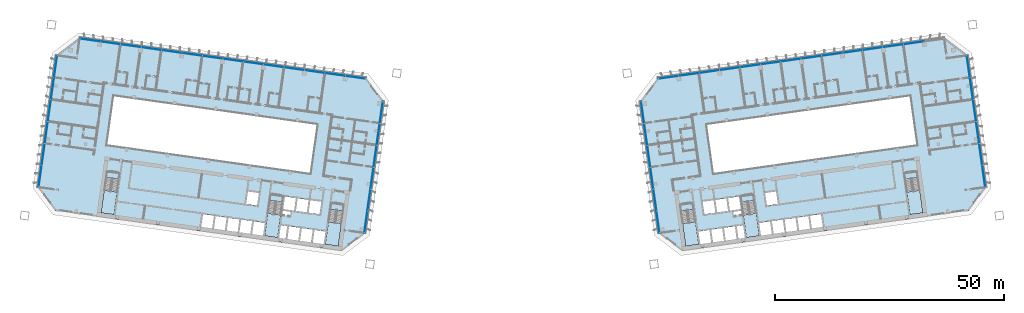
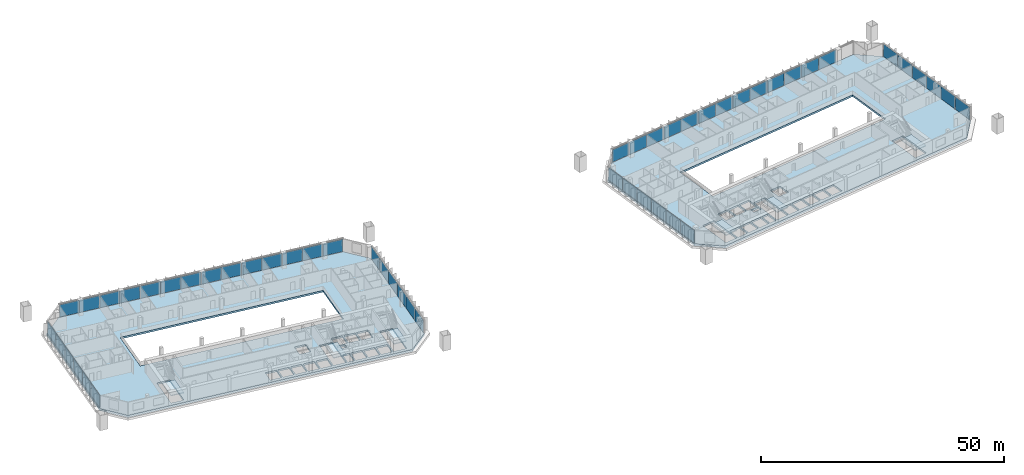
# One storey, part 12 of 24: 51 plates, 8 slabs, 12 elements without a shape of their own.
"""IFC4 building model written with IfcOpenShell, lengths in metres."""

import ifcopenshell
import ifcopenshell.guid

model = None  # the IFC model being written
_history = None  # IfcOwnerHistory: only IFC2X3 demands one
_inside = {}  # id of a spatial element -> (the spatial element, [elements in it])
_under = {}  # id of a project, library or spatial element -> (it, [spatial elements below it])
_declared = {}  # id of a project -> (the project, [libraries it declares])
_typed = {}  # id of a type object -> (the type object, [elements of that type])
_made_of = {}  # id of a material, layer set ... -> (it, [elements and type objects made of it])


def new_model(schema):
    """Start an empty IFC model of exactly this schema.

    Asked for "IFC4X3", IfcOpenShell would pick the latest addendum, in which some entities
    have other attributes; the version numbers below select the first issue.
    IFC2X3 requires an IfcOwnerHistory on every rooted entity: one is made here for all.
    """
    global model, _history
    if schema == "IFC4X3":
        model = ifcopenshell.file(schema_version=(4, 3, 0, 0))
    else:
        model = ifcopenshell.file(schema=schema)
    _inside.clear()
    _under.clear()
    _declared.clear()
    _typed.clear()
    _made_of.clear()
    _history = None
    if model.schema == "IFC2X3":
        org = make("IfcOrganization", Name="unknown")
        user = make(
            "IfcPersonAndOrganization",
            ThePerson=make("IfcPerson", FamilyName="unknown"),
            TheOrganization=org,
        )
        app = make(
            "IfcApplication",
            ApplicationDeveloper=org,
            Version="unknown",
            ApplicationFullName="unknown",
            ApplicationIdentifier="unknown",
        )
        _history = make(
            "IfcOwnerHistory",
            OwningUser=user,
            OwningApplication=app,
            ChangeAction="ADDED",
            CreationDate=0,
        )
    return model


def make(cls, **values):
    """One entity of the class cls with the attributes given. An attribute that is None is left unset."""
    return model.create_entity(
        cls, **{name: value for name, value in values.items() if value is not None}
    )


def rooted(cls, **values):
    """An entity with a GlobalId (a new one), such as an element, a storey or a relation."""
    return make(cls, GlobalId=ifcopenshell.guid.new(), OwnerHistory=_history, **values)


def si_unit(unit_type, name, prefix=None):
    """IfcSIUnit, for example si_unit("LENGTHUNIT", "METRE", prefix="MILLI")."""
    return make("IfcSIUnit", UnitType=unit_type, Prefix=prefix, Name=name)


def assignment(units):
    """IfcUnitAssignment: the units of a project."""
    return None if units is None else make("IfcUnitAssignment", Units=units)


def point(xyz):
    """IfcCartesianPoint."""
    return None if xyz is None else make("IfcCartesianPoint", Coordinates=xyz)


def direction(xyz):
    """IfcDirection."""
    return None if xyz is None else make("IfcDirection", DirectionRatios=xyz)


def frame(location, z_axis=None, x_axis=None):
    """IfcAxis2Placement3D, a coordinate frame: its origin and axes. An axis left out is left unset."""
    return make(
        "IfcAxis2Placement3D",
        Location=point(location),
        Axis=direction(z_axis),
        RefDirection=direction(x_axis),
    )


def frame_2d(location, x_axis=None):
    """IfcAxis2Placement2D, a coordinate frame in the plane: its origin and x axis."""
    return make(
        "IfcAxis2Placement2D", Location=point(location), RefDirection=direction(x_axis)
    )


def origin():
    """The frame at (0, 0, 0) with its axes left unset."""
    return frame((0.0, 0.0, 0.0))


def origin_2d():
    """The frame at (0, 0) in the plane with its x axis left unset."""
    return frame_2d((0.0, 0.0))


def place(relative_to, where):
    """IfcLocalPlacement: puts the frame where relative to a parent placement (None: the world)."""
    return make(
        "IfcLocalPlacement", PlacementRelTo=relative_to, RelativePlacement=where
    )


def context(
    kind, dimensions, precision=None, world=None, true_north=None, identifier=None
):
    """IfcGeometricRepresentationContext, for example the 3D "Model" context."""
    return make(
        "IfcGeometricRepresentationContext",
        ContextIdentifier=identifier,
        ContextType=kind,
        CoordinateSpaceDimension=dimensions,
        Precision=precision,
        WorldCoordinateSystem=world,
        TrueNorth=true_north,
    )


def subcontext(parent, identifier, kind, view, scale=None):
    """IfcGeometricRepresentationSubContext, for example "Body" below "Model"."""
    return make(
        "IfcGeometricRepresentationSubContext",
        ContextIdentifier=identifier,
        ContextType=kind,
        ParentContext=parent,
        TargetScale=scale,
        TargetView=view,
    )


def project(units=None, contexts=None):
    """IfcProject with its units and contexts."""
    return rooted(
        "IfcProject",
        Name="project",
        RepresentationContexts=contexts,
        UnitsInContext=assignment(units),
    )


def spatial(cls, under=None, at=None, **own):
    """A site, building, storey or space (cls), placed at a placement, below another one or the project."""
    s = rooted(cls, ObjectPlacement=at, **own)
    if under is not None:
        _under.setdefault(under.id(), (under, []))[1].append(s)
    return s


def polyline(points):
    """IfcPolyline through the points."""
    return make("IfcPolyline", Points=[point(p) for p in points])


def profile(cls, at=None, kind="AREA", **sizes):
    """A parametric profile (cls). Its sizes go by their IFC names, for example OverallWidth=200.0."""
    return make(cls, ProfileType=kind, Position=at, **sizes)


def rectangle(**sizes):
    """IfcRectangleProfileDef."""
    return profile("IfcRectangleProfileDef", **sizes)


def outline(outer, holes=None, kind="AREA"):
    """IfcArbitraryClosedProfileDef: a profile drawn as a closed curve; with holes, ...WithVoids."""
    if holes is None:
        return make("IfcArbitraryClosedProfileDef", ProfileType=kind, OuterCurve=outer)
    return make(
        "IfcArbitraryProfileDefWithVoids",
        ProfileType=kind,
        OuterCurve=outer,
        InnerCurves=holes,
    )


def extrude(swept, where, along, depth):
    """IfcExtrudedAreaSolid: the profile swept, set in the frame where, extruded along a direction by depth."""
    return make(
        "IfcExtrudedAreaSolid",
        SweptArea=swept,
        Position=where,
        ExtrudedDirection=direction(along),
        Depth=depth,
    )


def shape(context_of_items, identifier, shape_type, items):
    """IfcShapeRepresentation: the items that make up one representation, for example the "Body"."""
    return make(
        "IfcShapeRepresentation",
        ContextOfItems=context_of_items,
        RepresentationIdentifier=identifier,
        RepresentationType=shape_type,
        Items=items,
    )


def material(Name=None, Category=None):
    """IfcMaterial."""
    return make("IfcMaterial", Name=Name, Category=Category)


def layer(
    of_material, thickness, ventilated=None, Name=None, Category=None, Priority=None
):
    """IfcMaterialLayer: one layer of a wall or slab, of a material (None: an air gap)."""
    return make(
        "IfcMaterialLayer",
        Material=of_material,
        LayerThickness=thickness,
        IsVentilated=ventilated,
        Name=Name,
        Category=Category,
        Priority=Priority,
    )


def layer_set(layers, Name=None):
    """IfcMaterialLayerSet."""
    return make("IfcMaterialLayerSet", MaterialLayers=layers, LayerSetName=Name)


def made_of(thing, what):
    """Note that an element or type object is made of a material, layer set ...; save() writes the relation."""
    if what is not None:
        _made_of.setdefault(what.id(), (what, []))[1].append(thing)
    return thing


def type_object(cls, material=None, **own):
    """A type object (cls), such as IfcWallType, which elements share."""
    return made_of(rooted(cls, **own), material)


def element(
    cls,
    number,
    at=None,
    inside=None,
    cuts=None,
    type_object=None,
    material=None,
    context=None,
    identifier="Body",
    shape_type=None,
    held_by="IfcProductDefinitionShape",
    body=None,
    shapes=None,
    **own,
):
    """One element of the class cls, such as IfcWall. Its Tag is "e" and its number.

    at: its placement. inside: the storey or other place that contains it. cuts: it is an
    opening in that element (IfcRelVoidsElement). A single representation is given by context,
    identifier, shape_type and body (its items); several are given by shapes. held_by: the class
    of the entity that holds the representations. save() writes the other relations.
    """
    e = rooted(cls, Tag="e%d" % number, ObjectPlacement=at, **own)
    if body is not None:
        shapes = [shape(context, identifier, shape_type, body)]
    if shapes is not None:
        e.Representation = make(held_by, Representations=shapes)
    if inside is not None:
        _inside.setdefault(inside.id(), (inside, []))[1].append(e)
    if cuts is not None:
        rooted(
            "IfcRelVoidsElement", RelatingBuildingElement=cuts, RelatedOpeningElement=e
        )
    if type_object is not None:
        _typed.setdefault(type_object.id(), (type_object, []))[1].append(e)
    return made_of(e, material)


def aggregate(whole, parts):
    """IfcRelAggregates: a whole, such as a stair, and the parts it consists of."""
    return rooted("IfcRelAggregates", RelatingObject=whole, RelatedObjects=parts)


def save(model, path):
    """Write the relations noted so far, then the file.

    IfcRelAggregates (storeys below a building ...), IfcRelContainedInSpatialStructure (elements
    in a storey), IfcRelDefinesByType, IfcRelAssociatesMaterial and IfcRelDeclares: one each for
    every whole, place, type object, material and project.
    """
    for whole, parts in _under.values():
        aggregate(whole, parts)
    for where, things in _inside.values():
        rooted(
            "IfcRelContainedInSpatialStructure",
            RelatedElements=things,
            RelatingStructure=where,
        )
    for kind, things in _typed.values():
        rooted("IfcRelDefinesByType", RelatedObjects=things, RelatingType=kind)
    for what, things in _made_of.values():
        rooted("IfcRelAssociatesMaterial", RelatedObjects=things, RelatingMaterial=what)
    for by, libraries in _declared.values():
        rooted("IfcRelDeclares", RelatingContext=by, RelatedDefinitions=libraries)
    model.write(path)


model = new_model("IFC4")

# Units and contexts
model_context = context("Model", 3, precision=1e-05, world=origin(), true_north=direction((0.0, 1.0)))
body_context = subcontext(model_context, "Body", "Model", "MODEL_VIEW")
ifc_project = project(units=[si_unit("LENGTHUNIT", "METRE"), si_unit("AREAUNIT", "SQUARE_METRE"), si_unit("VOLUMEUNIT", "CUBIC_METRE"), si_unit("PLANEANGLEUNIT", "RADIAN"), si_unit("MASSUNIT", "GRAM", prefix="KILO")], contexts=[model_context])

# Site, building, storey
site_placement = place(None, origin())
site = spatial("IfcSite", under=ifc_project, at=site_placement, CompositionType="ELEMENT")
building_placement = place(site_placement, origin())
building = spatial("IfcBuilding", under=site, at=building_placement, Name="Mirante Cascada Hotel Towers", CompositionType="ELEMENT")
storey_placement = place(building_placement, frame((0.0, 0.0, 50.9)))
storey = spatial("IfcBuildingStorey", under=building, at=storey_placement, Name="L09", CompositionType="ELEMENT", Elevation=50.9)

# Curtain wall, plates
ifc_material_1 = material(Name="Aluminium mullion and transom frame with clear laminated glass", Category="aluminium")
curtain_wall_type_1 = type_object("IfcCurtainWallType", Name="Ribbon curtain wall ECW1", PredefinedType="NOTDEFINED", material=ifc_material_1)
curtain_wall_1_placement = place(storey_placement, origin())
curtain_wall_1 = element("IfcCurtainWall", 1, at=curtain_wall_1_placement, inside=storey, type_object=curtain_wall_type_1, Name="Front ribbon wall T1 L09", PredefinedType="NOTDEFINED")
ifc_material_2 = material(Name="Clear laminated glass", Category="glass")
ifc_layer_1 = layer(ifc_material_2, 0.036)
ifc_layer_set_1 = layer_set([ifc_layer_1], Name="ECW1 glass panel 36")
plate_type_1 = type_object("IfcPlateType", Name="ECW1 glass panel 36", PredefinedType="CURTAIN_PANEL", material=ifc_layer_set_1)
plate_1_placement = place(storey_placement, frame((-91.9184, 25.7373, 0.1), z_axis=(0.0, 0.0, 1.0), x_axis=(0.9902681, -0.1391731, 0.0)))
plate_1 = element("IfcPlate", 2, at=plate_1_placement, type_object=plate_type_1, Name="ECW1 panel 1", PredefinedType="CURTAIN_PANEL", context=body_context, shape_type="SweptSolid", body=[
    extrude(rectangle(XDim=4.3936, YDim=0.036, at=origin_2d()), origin(), (0.0, 0.0, 1.0), 3.15),
])
plate_2_placement = place(storey_placement, frame((-87.487, 25.1145, 0.1), z_axis=(0.0, 0.0, 1.0), x_axis=(0.9902681, -0.1391731, 0.0)))
plate_2 = element("IfcPlate", 3, at=plate_2_placement, type_object=plate_type_1, Name="ECW1 panel 2", PredefinedType="CURTAIN_PANEL", context=body_context, shape_type="SweptSolid", body=[
    extrude(rectangle(XDim=4.4261, YDim=0.036, at=origin_2d()), origin(), (0.0, 0.0, 1.0), 3.15),
])
plate_3_placement = place(storey_placement, frame((-83.0396, 24.4895, 0.1), z_axis=(0.0, 0.0, 1.0), x_axis=(0.9902681, -0.1391731, 0.0)))
plate_3 = element("IfcPlate", 4, at=plate_3_placement, type_object=plate_type_1, Name="ECW1 panel 3", PredefinedType="CURTAIN_PANEL", context=body_context, shape_type="SweptSolid", body=[
    extrude(rectangle(XDim=4.4261, YDim=0.036, at=origin_2d()), origin(), (0.0, 0.0, 1.0), 3.15),
])
plate_4_placement = place(storey_placement, frame((-78.5922, 23.8644, 0.1), z_axis=(0.0, 0.0, 1.0), x_axis=(0.9902681, -0.1391731, 0.0)))
plate_4 = element("IfcPlate", 5, at=plate_4_placement, type_object=plate_type_1, Name="ECW1 panel 4", PredefinedType="CURTAIN_PANEL", context=body_context, shape_type="SweptSolid", body=[
    extrude(rectangle(XDim=4.4261, YDim=0.036, at=origin_2d()), origin(), (0.0, 0.0, 1.0), 3.15),
])
plate_5_placement = place(storey_placement, frame((-74.1448, 23.2394, 0.1), z_axis=(0.0, 0.0, 1.0), x_axis=(0.9902681, -0.1391731, 0.0)))
plate_5 = element("IfcPlate", 6, at=plate_5_placement, type_object=plate_type_1, Name="ECW1 panel 5", PredefinedType="CURTAIN_PANEL", context=body_context, shape_type="SweptSolid", body=[
    extrude(rectangle(XDim=4.4261, YDim=0.036, at=origin_2d()), origin(), (0.0, 0.0, 1.0), 3.15),
])
plate_6_placement = place(storey_placement, frame((-69.6974, 22.6144, 0.1), z_axis=(0.0, 0.0, 1.0), x_axis=(0.9902681, -0.1391731, 0.0)))
plate_6 = element("IfcPlate", 7, at=plate_6_placement, type_object=plate_type_1, Name="ECW1 panel 6", PredefinedType="CURTAIN_PANEL", context=body_context, shape_type="SweptSolid", body=[
    extrude(rectangle(XDim=4.4261, YDim=0.036, at=origin_2d()), origin(), (0.0, 0.0, 1.0), 3.15),
])
plate_7_placement = place(storey_placement, frame((-65.2499, 21.9893, 0.1), z_axis=(0.0, 0.0, 1.0), x_axis=(0.9902681, -0.1391731, 0.0)))
plate_7 = element("IfcPlate", 8, at=plate_7_placement, type_object=plate_type_1, Name="ECW1 panel 7", PredefinedType="CURTAIN_PANEL", context=body_context, shape_type="SweptSolid", body=[
    extrude(rectangle(XDim=4.4261, YDim=0.036, at=origin_2d()), origin(), (0.0, 0.0, 1.0), 3.15),
])
plate_8_placement = place(storey_placement, frame((-60.8025, 21.3643, 0.1), z_axis=(0.0, 0.0, 1.0), x_axis=(0.9902681, -0.1391731, 0.0)))
plate_8 = element("IfcPlate", 9, at=plate_8_placement, type_object=plate_type_1, Name="ECW1 panel 8", PredefinedType="CURTAIN_PANEL", context=body_context, shape_type="SweptSolid", body=[
    extrude(rectangle(XDim=4.4261, YDim=0.036, at=origin_2d()), origin(), (0.0, 0.0, 1.0), 3.15),
])
plate_9_placement = place(storey_placement, frame((-56.3551, 20.7392, 0.1), z_axis=(0.0, 0.0, 1.0), x_axis=(0.9902681, -0.1391731, 0.0)))
plate_9 = element("IfcPlate", 10, at=plate_9_placement, type_object=plate_type_1, Name="ECW1 panel 9", PredefinedType="CURTAIN_PANEL", context=body_context, shape_type="SweptSolid", body=[
    extrude(rectangle(XDim=4.4261, YDim=0.036, at=origin_2d()), origin(), (0.0, 0.0, 1.0), 3.15),
])
plate_10_placement = place(storey_placement, frame((-51.9077, 20.1142, 0.1), z_axis=(0.0, 0.0, 1.0), x_axis=(0.9902681, -0.1391731, 0.0)))
plate_10 = element("IfcPlate", 11, at=plate_10_placement, type_object=plate_type_1, Name="ECW1 panel 10", PredefinedType="CURTAIN_PANEL", context=body_context, shape_type="SweptSolid", body=[
    extrude(rectangle(XDim=4.4261, YDim=0.036, at=origin_2d()), origin(), (0.0, 0.0, 1.0), 3.15),
])
plate_11_placement = place(storey_placement, frame((-47.4603, 19.4891, 0.1), z_axis=(0.0, 0.0, 1.0), x_axis=(0.9902681, -0.1391731, 0.0)))
plate_11 = element("IfcPlate", 12, at=plate_11_placement, type_object=plate_type_1, Name="ECW1 panel 11", PredefinedType="CURTAIN_PANEL", context=body_context, shape_type="SweptSolid", body=[
    extrude(rectangle(XDim=4.4261, YDim=0.036, at=origin_2d()), origin(), (0.0, 0.0, 1.0), 3.15),
])
plate_12_placement = place(storey_placement, frame((-43.0129, 18.8641, 0.1), z_axis=(0.0, 0.0, 1.0), x_axis=(0.9902681, -0.1391731, 0.0)))
plate_12 = element("IfcPlate", 13, at=plate_12_placement, type_object=plate_type_1, Name="ECW1 panel 12", PredefinedType="CURTAIN_PANEL", context=body_context, shape_type="SweptSolid", body=[
    extrude(rectangle(XDim=4.4261, YDim=0.036, at=origin_2d()), origin(), (0.0, 0.0, 1.0), 3.15),
])
plate_13_placement = place(storey_placement, frame((-38.5654, 18.239, 0.1), z_axis=(0.0, 0.0, 1.0), x_axis=(0.9902681, -0.1391731, 0.0)))
plate_13 = element("IfcPlate", 14, at=plate_13_placement, type_object=plate_type_1, Name="ECW1 panel 13", PredefinedType="CURTAIN_PANEL", context=body_context, shape_type="SweptSolid", body=[
    extrude(rectangle(XDim=4.4261, YDim=0.036, at=origin_2d()), origin(), (0.0, 0.0, 1.0), 3.15),
])
plate_14_placement = place(storey_placement, frame((-34.1341, 17.6163, 0.1), z_axis=(0.0, 0.0, 1.0), x_axis=(0.9902681, -0.1391731, 0.0)))
plate_14 = element("IfcPlate", 15, at=plate_14_placement, type_object=plate_type_1, Name="ECW1 panel 14", PredefinedType="CURTAIN_PANEL", context=body_context, shape_type="SweptSolid", body=[
    extrude(rectangle(XDim=4.3936, YDim=0.036, at=origin_2d()), origin(), (0.0, 0.0, 1.0), 3.15),
])
aggregate(curtain_wall_1, [plate_1, plate_2, plate_3, plate_4, plate_5, plate_6, plate_7, plate_8, plate_9, plate_10, plate_11, plate_12, plate_13, plate_14])

curtain_wall_2_placement = place(storey_placement, origin())
curtain_wall_2 = element("IfcCurtainWall", 16, at=curtain_wall_2_placement, inside=storey, type_object=curtain_wall_type_1, Name="Front ribbon wall T2 L09", PredefinedType="NOTDEFINED")
plate_15_placement = place(storey_placement, frame((87.487, 25.1145, 0.1), z_axis=(0.0, 0.0, 1.0), x_axis=(-0.9902681, -0.1391731, 0.0)))
plate_15 = element("IfcPlate", 17, at=plate_15_placement, type_object=plate_type_1, Name="ECW1 panel 2", PredefinedType="CURTAIN_PANEL", context=body_context, shape_type="SweptSolid", body=[
    extrude(rectangle(XDim=4.4261, YDim=0.036, at=origin_2d()), origin(), (0.0, 0.0, 1.0), 3.15),
])
plate_16_placement = place(storey_placement, frame((83.0396, 24.4895, 0.1), z_axis=(0.0, 0.0, 1.0), x_axis=(-0.9902681, -0.1391731, 0.0)))
plate_16 = element("IfcPlate", 18, at=plate_16_placement, type_object=plate_type_1, Name="ECW1 panel 3", PredefinedType="CURTAIN_PANEL", context=body_context, shape_type="SweptSolid", body=[
    extrude(rectangle(XDim=4.4261, YDim=0.036, at=origin_2d()), origin(), (0.0, 0.0, 1.0), 3.15),
])
plate_17_placement = place(storey_placement, frame((78.5922, 23.8644, 0.1), z_axis=(0.0, 0.0, 1.0), x_axis=(-0.9902681, -0.1391731, 0.0)))
plate_17 = element("IfcPlate", 19, at=plate_17_placement, type_object=plate_type_1, Name="ECW1 panel 4", PredefinedType="CURTAIN_PANEL", context=body_context, shape_type="SweptSolid", body=[
    extrude(rectangle(XDim=4.4261, YDim=0.036, at=origin_2d()), origin(), (0.0, 0.0, 1.0), 3.15),
])
plate_18_placement = place(storey_placement, frame((74.1448, 23.2394, 0.1), z_axis=(0.0, 0.0, 1.0), x_axis=(-0.9902681, -0.1391731, 0.0)))
plate_18 = element("IfcPlate", 20, at=plate_18_placement, type_object=plate_type_1, Name="ECW1 panel 5", PredefinedType="CURTAIN_PANEL", context=body_context, shape_type="SweptSolid", body=[
    extrude(rectangle(XDim=4.4261, YDim=0.036, at=origin_2d()), origin(), (0.0, 0.0, 1.0), 3.15),
])
plate_19_placement = place(storey_placement, frame((69.6974, 22.6144, 0.1), z_axis=(0.0, 0.0, 1.0), x_axis=(-0.9902681, -0.1391731, 0.0)))
plate_19 = element("IfcPlate", 21, at=plate_19_placement, type_object=plate_type_1, Name="ECW1 panel 6", PredefinedType="CURTAIN_PANEL", context=body_context, shape_type="SweptSolid", body=[
    extrude(rectangle(XDim=4.4261, YDim=0.036, at=origin_2d()), origin(), (0.0, 0.0, 1.0), 3.15),
])
plate_20_placement = place(storey_placement, frame((65.2499, 21.9893, 0.1), z_axis=(0.0, 0.0, 1.0), x_axis=(-0.9902681, -0.1391731, 0.0)))
plate_20 = element("IfcPlate", 22, at=plate_20_placement, type_object=plate_type_1, Name="ECW1 panel 7", PredefinedType="CURTAIN_PANEL", context=body_context, shape_type="SweptSolid", body=[
    extrude(rectangle(XDim=4.4261, YDim=0.036, at=origin_2d()), origin(), (0.0, 0.0, 1.0), 3.15),
])
plate_21_placement = place(storey_placement, frame((60.8025, 21.3643, 0.1), z_axis=(0.0, 0.0, 1.0), x_axis=(-0.9902681, -0.1391731, 0.0)))
plate_21 = element("IfcPlate", 23, at=plate_21_placement, type_object=plate_type_1, Name="ECW1 panel 8", PredefinedType="CURTAIN_PANEL", context=body_context, shape_type="SweptSolid", body=[
    extrude(rectangle(XDim=4.4261, YDim=0.036, at=origin_2d()), origin(), (0.0, 0.0, 1.0), 3.15),
])
plate_22_placement = place(storey_placement, frame((56.3551, 20.7392, 0.1), z_axis=(0.0, 0.0, 1.0), x_axis=(-0.9902681, -0.1391731, 0.0)))
plate_22 = element("IfcPlate", 24, at=plate_22_placement, type_object=plate_type_1, Name="ECW1 panel 9", PredefinedType="CURTAIN_PANEL", context=body_context, shape_type="SweptSolid", body=[
    extrude(rectangle(XDim=4.4261, YDim=0.036, at=origin_2d()), origin(), (0.0, 0.0, 1.0), 3.15),
])
plate_23_placement = place(storey_placement, frame((51.9077, 20.1142, 0.1), z_axis=(0.0, 0.0, 1.0), x_axis=(-0.9902681, -0.1391731, 0.0)))
plate_23 = element("IfcPlate", 25, at=plate_23_placement, type_object=plate_type_1, Name="ECW1 panel 10", PredefinedType="CURTAIN_PANEL", context=body_context, shape_type="SweptSolid", body=[
    extrude(rectangle(XDim=4.4261, YDim=0.036, at=origin_2d()), origin(), (0.0, 0.0, 1.0), 3.15),
])
plate_24_placement = place(storey_placement, frame((47.4603, 19.4891, 0.1), z_axis=(0.0, 0.0, 1.0), x_axis=(-0.9902681, -0.1391731, 0.0)))
plate_24 = element("IfcPlate", 26, at=plate_24_placement, type_object=plate_type_1, Name="ECW1 panel 11", PredefinedType="CURTAIN_PANEL", context=body_context, shape_type="SweptSolid", body=[
    extrude(rectangle(XDim=4.4261, YDim=0.036, at=origin_2d()), origin(), (0.0, 0.0, 1.0), 3.15),
])
plate_25_placement = place(storey_placement, frame((43.0129, 18.8641, 0.1), z_axis=(0.0, 0.0, 1.0), x_axis=(-0.9902681, -0.1391731, 0.0)))
plate_25 = element("IfcPlate", 27, at=plate_25_placement, type_object=plate_type_1, Name="ECW1 panel 12", PredefinedType="CURTAIN_PANEL", context=body_context, shape_type="SweptSolid", body=[
    extrude(rectangle(XDim=4.4261, YDim=0.036, at=origin_2d()), origin(), (0.0, 0.0, 1.0), 3.15),
])
plate_26_placement = place(storey_placement, frame((38.5654, 18.239, 0.1), z_axis=(0.0, 0.0, 1.0), x_axis=(-0.9902681, -0.1391731, 0.0)))
plate_26 = element("IfcPlate", 28, at=plate_26_placement, type_object=plate_type_1, Name="ECW1 panel 13", PredefinedType="CURTAIN_PANEL", context=body_context, shape_type="SweptSolid", body=[
    extrude(rectangle(XDim=4.4261, YDim=0.036, at=origin_2d()), origin(), (0.0, 0.0, 1.0), 3.15),
])
plate_27_placement = place(storey_placement, frame((34.1341, 17.6163, 0.1), z_axis=(0.0, 0.0, 1.0), x_axis=(-0.9902681, -0.1391731, 0.0)))
plate_27 = element("IfcPlate", 29, at=plate_27_placement, type_object=plate_type_1, Name="ECW1 panel 14", PredefinedType="CURTAIN_PANEL", context=body_context, shape_type="SweptSolid", body=[
    extrude(rectangle(XDim=4.3936, YDim=0.036, at=origin_2d()), origin(), (0.0, 0.0, 1.0), 3.15),
])
aggregate(curtain_wall_2, [plate_15, plate_16, plate_17, plate_18, plate_19, plate_20, plate_21, plate_22, plate_23, plate_24, plate_25, plate_26, plate_27])

ifc_material_3 = material(Name="Aluminium mullion and transom frame with clear laminated glass", Category="aluminium")
curtain_wall_type_2 = type_object("IfcCurtainWallType", Name="End ribbon curtain wall ECW2", PredefinedType="NOTDEFINED", material=ifc_material_3)
curtain_wall_3_placement = place(storey_placement, origin())
curtain_wall_3 = element("IfcCurtainWall", 30, at=curtain_wall_3_placement, inside=storey, type_object=curtain_wall_type_2, Name="Inner end wall T1 L09", PredefinedType="NOTDEFINED")
ifc_material_4 = material(Name="Clear laminated glass", Category="glass")
ifc_layer_2 = layer(ifc_material_4, 0.034)
ifc_layer_set_2 = layer_set([ifc_layer_2], Name="ECW2 glass panel 34")
plate_type_2 = type_object("IfcPlateType", Name="ECW2 glass panel 34", PredefinedType="CURTAIN_PANEL", material=ifc_layer_set_2)
plate_28_placement = place(storey_placement, frame((-28.4763, 9.9193, 0.1), z_axis=(0.0, 0.0, 1.0), x_axis=(-0.1391731, -0.9902681, 0.0)))
plate_28 = element("IfcPlate", 31, at=plate_28_placement, type_object=plate_type_2, Name="ECW2 panel 1", PredefinedType="CURTAIN_PANEL", context=body_context, shape_type="SweptSolid", body=[
    extrude(rectangle(XDim=4.7151, YDim=0.034, at=origin_2d()), origin(), (0.0, 0.0, 1.0), 3.15),
])
plate_29_placement = place(storey_placement, frame((-29.1439, 5.1696, 0.1), z_axis=(0.0, 0.0, 1.0), x_axis=(-0.1391731, -0.9902681, 0.0)))
plate_29 = element("IfcPlate", 32, at=plate_29_placement, type_object=plate_type_2, Name="ECW2 panel 2", PredefinedType="CURTAIN_PANEL", context=body_context, shape_type="SweptSolid", body=[
    extrude(rectangle(XDim=4.7476, YDim=0.034, at=origin_2d()), origin(), (0.0, 0.0, 1.0), 3.15),
])
plate_30_placement = place(storey_placement, frame((-29.8136, 0.4038, 0.1), z_axis=(0.0, 0.0, 1.0), x_axis=(-0.1391731, -0.9902681, 0.0)))
plate_30 = element("IfcPlate", 33, at=plate_30_placement, type_object=plate_type_2, Name="ECW2 panel 3", PredefinedType="CURTAIN_PANEL", context=body_context, shape_type="SweptSolid", body=[
    extrude(rectangle(XDim=4.7476, YDim=0.034, at=origin_2d()), origin(), (0.0, 0.0, 1.0), 3.15),
])
plate_31_placement = place(storey_placement, frame((-30.4834, -4.362, 0.1), z_axis=(0.0, 0.0, 1.0), x_axis=(-0.1391731, -0.9902681, 0.0)))
plate_31 = element("IfcPlate", 34, at=plate_31_placement, type_object=plate_type_2, Name="ECW2 panel 4", PredefinedType="CURTAIN_PANEL", context=body_context, shape_type="SweptSolid", body=[
    extrude(rectangle(XDim=4.7476, YDim=0.034, at=origin_2d()), origin(), (0.0, 0.0, 1.0), 3.15),
])
plate_32_placement = place(storey_placement, frame((-31.1532, -9.1278, 0.1), z_axis=(0.0, 0.0, 1.0), x_axis=(-0.1391731, -0.9902681, 0.0)))
plate_32 = element("IfcPlate", 35, at=plate_32_placement, type_object=plate_type_2, Name="ECW2 panel 5", PredefinedType="CURTAIN_PANEL", context=body_context, shape_type="SweptSolid", body=[
    extrude(rectangle(XDim=4.7476, YDim=0.034, at=origin_2d()), origin(), (0.0, 0.0, 1.0), 3.15),
])
plate_33_placement = place(storey_placement, frame((-31.8207, -13.8775, 0.1), z_axis=(0.0, 0.0, 1.0), x_axis=(-0.1391731, -0.9902681, 0.0)))
plate_33 = element("IfcPlate", 36, at=plate_33_placement, type_object=plate_type_2, Name="ECW2 panel 6", PredefinedType="CURTAIN_PANEL", context=body_context, shape_type="SweptSolid", body=[
    extrude(rectangle(XDim=4.7151, YDim=0.034, at=origin_2d()), origin(), (0.0, 0.0, 1.0), 3.15),
])
aggregate(curtain_wall_3, [plate_28, plate_29, plate_30, plate_31, plate_32, plate_33])

curtain_wall_4_placement = place(storey_placement, origin())
curtain_wall_4 = element("IfcCurtainWall", 37, at=curtain_wall_4_placement, inside=storey, type_object=curtain_wall_type_2, Name="Outer end wall T1 L09", PredefinedType="NOTDEFINED")
plate_34_placement = place(storey_placement, frame((-102.823, -3.8988, 0.1), z_axis=(0.0, 0.0, 1.0), x_axis=(0.1391731, 0.9902681, 0.0)))
plate_34 = element("IfcPlate", 38, at=plate_34_placement, type_object=plate_type_2, Name="ECW2 panel 1", PredefinedType="CURTAIN_PANEL", context=body_context, shape_type="SweptSolid", body=[
    extrude(rectangle(XDim=4.7151, YDim=0.034, at=origin_2d()), origin(), (0.0, 0.0, 1.0), 3.15),
])
plate_35_placement = place(storey_placement, frame((-102.1554, 0.8509, 0.1), z_axis=(0.0, 0.0, 1.0), x_axis=(0.1391731, 0.9902681, 0.0)))
plate_35 = element("IfcPlate", 39, at=plate_35_placement, type_object=plate_type_2, Name="ECW2 panel 2", PredefinedType="CURTAIN_PANEL", context=body_context, shape_type="SweptSolid", body=[
    extrude(rectangle(XDim=4.7476, YDim=0.034, at=origin_2d()), origin(), (0.0, 0.0, 1.0), 3.15),
])
plate_36_placement = place(storey_placement, frame((-101.4857, 5.6167, 0.1), z_axis=(0.0, 0.0, 1.0), x_axis=(0.1391731, 0.9902681, 0.0)))
plate_36 = element("IfcPlate", 40, at=plate_36_placement, type_object=plate_type_2, Name="ECW2 panel 3", PredefinedType="CURTAIN_PANEL", context=body_context, shape_type="SweptSolid", body=[
    extrude(rectangle(XDim=4.7476, YDim=0.034, at=origin_2d()), origin(), (0.0, 0.0, 1.0), 3.15),
])
plate_37_placement = place(storey_placement, frame((-100.8159, 10.3825, 0.1), z_axis=(0.0, 0.0, 1.0), x_axis=(0.1391731, 0.9902681, 0.0)))
plate_37 = element("IfcPlate", 41, at=plate_37_placement, type_object=plate_type_2, Name="ECW2 panel 4", PredefinedType="CURTAIN_PANEL", context=body_context, shape_type="SweptSolid", body=[
    extrude(rectangle(XDim=4.7476, YDim=0.034, at=origin_2d()), origin(), (0.0, 0.0, 1.0), 3.15),
])
plate_38_placement = place(storey_placement, frame((-100.1461, 15.1483, 0.1), z_axis=(0.0, 0.0, 1.0), x_axis=(0.1391731, 0.9902681, 0.0)))
plate_38 = element("IfcPlate", 42, at=plate_38_placement, type_object=plate_type_2, Name="ECW2 panel 5", PredefinedType="CURTAIN_PANEL", context=body_context, shape_type="SweptSolid", body=[
    extrude(rectangle(XDim=4.7476, YDim=0.034, at=origin_2d()), origin(), (0.0, 0.0, 1.0), 3.15),
])
plate_39_placement = place(storey_placement, frame((-99.4786, 19.898, 0.1), z_axis=(0.0, 0.0, 1.0), x_axis=(0.1391731, 0.9902681, 0.0)))
plate_39 = element("IfcPlate", 43, at=plate_39_placement, type_object=plate_type_2, Name="ECW2 panel 6", PredefinedType="CURTAIN_PANEL", context=body_context, shape_type="SweptSolid", body=[
    extrude(rectangle(XDim=4.7151, YDim=0.034, at=origin_2d()), origin(), (0.0, 0.0, 1.0), 3.15),
])
aggregate(curtain_wall_4, [plate_34, plate_35, plate_36, plate_37, plate_38, plate_39])

curtain_wall_5_placement = place(storey_placement, origin())
curtain_wall_5 = element("IfcCurtainWall", 44, at=curtain_wall_5_placement, inside=storey, type_object=curtain_wall_type_2, Name="Inner end wall T2 L09", PredefinedType="NOTDEFINED")
plate_40_placement = place(storey_placement, frame((28.4763, 9.9193, 0.1), z_axis=(0.0, 0.0, 1.0), x_axis=(0.1391731, -0.9902681, 0.0)))
plate_40 = element("IfcPlate", 45, at=plate_40_placement, type_object=plate_type_2, Name="ECW2 panel 1", PredefinedType="CURTAIN_PANEL", context=body_context, shape_type="SweptSolid", body=[
    extrude(rectangle(XDim=4.7151, YDim=0.034, at=origin_2d()), origin(), (0.0, 0.0, 1.0), 3.15),
])
plate_41_placement = place(storey_placement, frame((29.1439, 5.1696, 0.1), z_axis=(0.0, 0.0, 1.0), x_axis=(0.1391731, -0.9902681, 0.0)))
plate_41 = element("IfcPlate", 46, at=plate_41_placement, type_object=plate_type_2, Name="ECW2 panel 2", PredefinedType="CURTAIN_PANEL", context=body_context, shape_type="SweptSolid", body=[
    extrude(rectangle(XDim=4.7476, YDim=0.034, at=origin_2d()), origin(), (0.0, 0.0, 1.0), 3.15),
])
plate_42_placement = place(storey_placement, frame((29.8136, 0.4038, 0.1), z_axis=(0.0, 0.0, 1.0), x_axis=(0.1391731, -0.9902681, 0.0)))
plate_42 = element("IfcPlate", 47, at=plate_42_placement, type_object=plate_type_2, Name="ECW2 panel 3", PredefinedType="CURTAIN_PANEL", context=body_context, shape_type="SweptSolid", body=[
    extrude(rectangle(XDim=4.7476, YDim=0.034, at=origin_2d()), origin(), (0.0, 0.0, 1.0), 3.15),
])
plate_43_placement = place(storey_placement, frame((30.4834, -4.362, 0.1), z_axis=(0.0, 0.0, 1.0), x_axis=(0.1391731, -0.9902681, 0.0)))
plate_43 = element("IfcPlate", 48, at=plate_43_placement, type_object=plate_type_2, Name="ECW2 panel 4", PredefinedType="CURTAIN_PANEL", context=body_context, shape_type="SweptSolid", body=[
    extrude(rectangle(XDim=4.7476, YDim=0.034, at=origin_2d()), origin(), (0.0, 0.0, 1.0), 3.15),
])
plate_44_placement = place(storey_placement, frame((31.1532, -9.1278, 0.1), z_axis=(0.0, 0.0, 1.0), x_axis=(0.1391731, -0.9902681, 0.0)))
plate_44 = element("IfcPlate", 49, at=plate_44_placement, type_object=plate_type_2, Name="ECW2 panel 5", PredefinedType="CURTAIN_PANEL", context=body_context, shape_type="SweptSolid", body=[
    extrude(rectangle(XDim=4.7476, YDim=0.034, at=origin_2d()), origin(), (0.0, 0.0, 1.0), 3.15),
])
plate_45_placement = place(storey_placement, frame((31.8207, -13.8775, 0.1), z_axis=(0.0, 0.0, 1.0), x_axis=(0.1391731, -0.9902681, 0.0)))
plate_45 = element("IfcPlate", 50, at=plate_45_placement, type_object=plate_type_2, Name="ECW2 panel 6", PredefinedType="CURTAIN_PANEL", context=body_context, shape_type="SweptSolid", body=[
    extrude(rectangle(XDim=4.7151, YDim=0.034, at=origin_2d()), origin(), (0.0, 0.0, 1.0), 3.15),
])
aggregate(curtain_wall_5, [plate_40, plate_41, plate_42, plate_43, plate_44, plate_45])

curtain_wall_6_placement = place(storey_placement, origin())
curtain_wall_6 = element("IfcCurtainWall", 51, at=curtain_wall_6_placement, inside=storey, type_object=curtain_wall_type_2, Name="Outer end wall T2 L09", PredefinedType="NOTDEFINED")
plate_46_placement = place(storey_placement, frame((102.823, -3.8988, 0.1), z_axis=(0.0, 0.0, 1.0), x_axis=(-0.1391731, 0.9902681, 0.0)))
plate_46 = element("IfcPlate", 52, at=plate_46_placement, type_object=plate_type_2, Name="ECW2 panel 1", PredefinedType="CURTAIN_PANEL", context=body_context, shape_type="SweptSolid", body=[
    extrude(rectangle(XDim=4.7151, YDim=0.034, at=origin_2d()), origin(), (0.0, 0.0, 1.0), 3.15),
])
plate_47_placement = place(storey_placement, frame((102.1554, 0.8509, 0.1), z_axis=(0.0, 0.0, 1.0), x_axis=(-0.1391731, 0.9902681, 0.0)))
plate_47 = element("IfcPlate", 53, at=plate_47_placement, type_object=plate_type_2, Name="ECW2 panel 2", PredefinedType="CURTAIN_PANEL", context=body_context, shape_type="SweptSolid", body=[
    extrude(rectangle(XDim=4.7476, YDim=0.034, at=origin_2d()), origin(), (0.0, 0.0, 1.0), 3.15),
])
plate_48_placement = place(storey_placement, frame((101.4857, 5.6167, 0.1), z_axis=(0.0, 0.0, 1.0), x_axis=(-0.1391731, 0.9902681, 0.0)))
plate_48 = element("IfcPlate", 54, at=plate_48_placement, type_object=plate_type_2, Name="ECW2 panel 3", PredefinedType="CURTAIN_PANEL", context=body_context, shape_type="SweptSolid", body=[
    extrude(rectangle(XDim=4.7476, YDim=0.034, at=origin_2d()), origin(), (0.0, 0.0, 1.0), 3.15),
])
plate_49_placement = place(storey_placement, frame((100.8159, 10.3825, 0.1), z_axis=(0.0, 0.0, 1.0), x_axis=(-0.1391731, 0.9902681, 0.0)))
plate_49 = element("IfcPlate", 55, at=plate_49_placement, type_object=plate_type_2, Name="ECW2 panel 4", PredefinedType="CURTAIN_PANEL", context=body_context, shape_type="SweptSolid", body=[
    extrude(rectangle(XDim=4.7476, YDim=0.034, at=origin_2d()), origin(), (0.0, 0.0, 1.0), 3.15),
])
plate_50_placement = place(storey_placement, frame((100.1461, 15.1483, 0.1), z_axis=(0.0, 0.0, 1.0), x_axis=(-0.1391731, 0.9902681, 0.0)))
plate_50 = element("IfcPlate", 56, at=plate_50_placement, type_object=plate_type_2, Name="ECW2 panel 5", PredefinedType="CURTAIN_PANEL", context=body_context, shape_type="SweptSolid", body=[
    extrude(rectangle(XDim=4.7476, YDim=0.034, at=origin_2d()), origin(), (0.0, 0.0, 1.0), 3.15),
])
plate_51_placement = place(storey_placement, frame((99.4786, 19.898, 0.1), z_axis=(0.0, 0.0, 1.0), x_axis=(-0.1391731, 0.9902681, 0.0)))
plate_51 = element("IfcPlate", 57, at=plate_51_placement, type_object=plate_type_2, Name="ECW2 panel 6", PredefinedType="CURTAIN_PANEL", context=body_context, shape_type="SweptSolid", body=[
    extrude(rectangle(XDim=4.7151, YDim=0.034, at=origin_2d()), origin(), (0.0, 0.0, 1.0), 3.15),
])
aggregate(curtain_wall_6, [plate_46, plate_47, plate_48, plate_49, plate_50, plate_51])

# Stair, slab
ifc_material_5 = material(Name="Concrete C35/45", Category="concrete")
stair_type = type_object("IfcStairType", Name="Exit stair half-turn 1350 concrete C35/45", PredefinedType="HALF_TURN_STAIR", material=ifc_material_5)
stair_1_placement = place(storey_placement, origin())
stair_1 = element("IfcStair", 58, at=stair_1_placement, inside=storey, type_object=stair_type, Name="L09 Exit stair A", PredefinedType="HALF_TURN_STAIR")
ifc_material_6 = material(Name="Concrete C35/45", Category="concrete")
ifc_layer_3 = layer(ifc_material_6, 0.2)
ifc_layer_set_3 = layer_set([ifc_layer_3], Name="Exit stair landing 200 concrete C35/45")
slab_type_1 = type_object("IfcSlabType", Name="Exit stair landing 200 concrete C35/45", PredefinedType="LANDING", material=ifc_layer_set_3)
slab_1_placement = place(storey_placement, frame((0.0, 0.0, 1.7)))
slab_1 = element("IfcSlab", 59, at=slab_1_placement, type_object=slab_type_1, Name="ST1-A landing 1", PredefinedType="LANDING", context=body_context, shape_type="SweptSolid", body=[
    extrude(outline(polyline([(-39.9987, -13.8659), (-40.6887, -18.7757), (-37.8665, -19.1723), (-37.1765, -14.2626), (-39.9987, -13.8659)])), origin(), (0.0, 0.0, 1.0), 0.2),
])
aggregate(stair_1, [slab_1])

stair_2_placement = place(storey_placement, origin())
stair_2 = element("IfcStair", 60, at=stair_2_placement, inside=storey, type_object=stair_type, Name="L09 Exit stair B", PredefinedType="HALF_TURN_STAIR")
slab_2_placement = place(storey_placement, frame((0.0, 0.0, 1.7)))
slab_2 = element("IfcSlab", 61, at=slab_2_placement, type_object=slab_type_1, Name="ST1-B landing 1", PredefinedType="LANDING", context=body_context, shape_type="SweptSolid", body=[
    extrude(outline(polyline([(-53.2188, -12.008), (-53.9088, -16.9177), (-51.0866, -17.3144), (-50.3965, -12.4046), (-53.2188, -12.008)])), origin(), (0.0, 0.0, 1.0), 0.2),
])
aggregate(stair_2, [slab_2])

stair_3_placement = place(storey_placement, origin())
stair_3 = element("IfcStair", 62, at=stair_3_placement, inside=storey, type_object=stair_type, Name="L09 Exit stair C", PredefinedType="HALF_TURN_STAIR")
slab_3_placement = place(storey_placement, frame((0.0, 0.0, 1.7)))
slab_3 = element("IfcSlab", 63, at=slab_3_placement, type_object=slab_type_1, Name="ST1-C landing 1", PredefinedType="LANDING", context=body_context, shape_type="SweptSolid", body=[
    extrude(outline(polyline([(-88.8685, -6.9977), (-89.5585, -11.9075), (-86.7362, -12.3041), (-86.0462, -7.3944), (-88.8685, -6.9977)])), origin(), (0.0, 0.0, 1.0), 0.2),
])
aggregate(stair_3, [slab_3])

stair_4_placement = place(storey_placement, origin())
stair_4 = element("IfcStair", 64, at=stair_4_placement, inside=storey, type_object=stair_type, Name="L09 Exit stair A", PredefinedType="HALF_TURN_STAIR")
slab_4_placement = place(storey_placement, frame((0.0, 0.0, 1.7)))
slab_4 = element("IfcSlab", 65, at=slab_4_placement, type_object=slab_type_1, Name="ST2-A landing 1", PredefinedType="LANDING", context=body_context, shape_type="SweptSolid", body=[
    extrude(outline(polyline([(37.1765, -14.2626), (37.8665, -19.1723), (40.6887, -18.7757), (39.9987, -13.8659), (37.1765, -14.2626)])), origin(), (0.0, 0.0, 1.0), 0.2),
])
aggregate(stair_4, [slab_4])

stair_5_placement = place(storey_placement, origin())
stair_5 = element("IfcStair", 66, at=stair_5_placement, inside=storey, type_object=stair_type, Name="L09 Exit stair B", PredefinedType="HALF_TURN_STAIR")
slab_5_placement = place(storey_placement, frame((0.0, 0.0, 1.7)))
slab_5 = element("IfcSlab", 67, at=slab_5_placement, type_object=slab_type_1, Name="ST2-B landing 1", PredefinedType="LANDING", context=body_context, shape_type="SweptSolid", body=[
    extrude(outline(polyline([(50.3965, -12.4046), (51.0866, -17.3144), (53.9088, -16.9177), (53.2188, -12.008), (50.3965, -12.4046)])), origin(), (0.0, 0.0, 1.0), 0.2),
])
aggregate(stair_5, [slab_5])

stair_6_placement = place(storey_placement, origin())
stair_6 = element("IfcStair", 68, at=stair_6_placement, inside=storey, type_object=stair_type, Name="L09 Exit stair C", PredefinedType="HALF_TURN_STAIR")
slab_6_placement = place(storey_placement, frame((0.0, 0.0, 1.7)))
slab_6 = element("IfcSlab", 69, at=slab_6_placement, type_object=slab_type_1, Name="ST2-C landing 1", PredefinedType="LANDING", context=body_context, shape_type="SweptSolid", body=[
    extrude(outline(polyline([(86.0462, -7.3944), (86.7362, -12.3041), (89.5585, -11.9075), (88.8685, -6.9977), (86.0462, -7.3944)])), origin(), (0.0, 0.0, 1.0), 0.2),
])
aggregate(stair_6, [slab_6])

# Slabs
ifc_material_7 = material(Name="Concrete C40/50", Category="concrete")
ifc_layer_4 = layer(ifc_material_7, 0.45)
ifc_layer_set_4 = layer_set([ifc_layer_4], Name="Post-tensioned flat plate 450 Concrete C40/50")
slab_type_2 = type_object("IfcSlabType", Name="Post-tensioned flat plate 450 Concrete C40/50", PredefinedType="FLOOR", material=ifc_layer_set_4)
slab_7_placement = place(storey_placement, frame((0.0, 0.0, -0.45)))
element("IfcSlab", 70, at=slab_7_placement, inside=storey, type_object=slab_type_2, Name="Floor T1 L09", PredefinedType="FLOOR", context=body_context, shape_type="SweptSolid", body=[
    extrude(outline(polyline([(-32.018, -16.3589), (-27.982, 12.3589), (-31.8119, 17.4414), (-94.1988, 26.2093), (-99.2813, 22.3794), (-103.3173, -6.3384), (-99.4874, -11.4209), (-37.1005, -20.1888), (-32.018, -16.3589)]), holes=[polyline([(-43.0718, -15.6132), (-40.5961, -15.9612), (-40.9858, -18.7339), (-43.4615, -18.386), (-43.0718, -15.6132)]), polyline([(-45.8446, -15.2236), (-43.3689, -15.5715), (-43.7586, -18.3442), (-46.2342, -17.9963), (-45.8446, -15.2236)]), polyline([(-48.6173, -14.8339), (-46.1416, -15.1818), (-46.5313, -17.9546), (-49.007, -17.6066), (-48.6173, -14.8339)]), polyline([(-50.3998, -14.5834), (-48.9144, -14.7921), (-49.3041, -17.5649), (-50.7895, -17.3561), (-50.3998, -14.5834)]), polyline([(-36.7887, -11.5037), (-37.8665, -19.1723), (-40.6887, -18.7757), (-39.611, -11.107), (-36.7887, -11.5037)]), polyline([(-49.9544, -11.4145), (-48.1472, -11.6685), (-48.2829, -12.634), (-50.0901, -12.38), (-49.9544, -11.4145)]), polyline([(-43.9775, -9.124), (-41.5018, -9.472), (-41.8915, -12.2447), (-44.3672, -11.8968), (-43.9775, -9.124)]), polyline([(-47.1399, -11.5071), (-46.7503, -8.7344), (-44.2746, -9.0823), (-44.6643, -11.855), (-47.1399, -11.5071)]), polyline([(-49.9127, -11.1174), (-49.523, -8.3447), (-47.0473, -8.6926), (-47.437, -11.4654), (-49.9127, -11.1174)]), polyline([(-56.2919, -13.7553), (-53.8162, -14.1032), (-54.2059, -16.876), (-56.6816, -16.528), (-56.2919, -13.7553)]), polyline([(-59.0646, -13.3656), (-56.589, -13.7135), (-56.9787, -16.4863), (-59.4543, -16.1383), (-59.0646, -13.3656)]), polyline([(-61.8374, -12.9759), (-59.3617, -13.3238), (-59.7514, -16.0966), (-62.2271, -15.7487), (-61.8374, -12.9759)]), polyline([(-64.6101, -12.5862), (-62.1345, -12.9342), (-62.5242, -15.7069), (-64.9998, -15.359), (-64.6101, -12.5862)]), polyline([(-67.3829, -12.1965), (-64.9072, -12.5445), (-65.2969, -15.3172), (-67.7726, -14.9693), (-67.3829, -12.1965)]), polyline([(-50.0088, -9.6457), (-51.0866, -17.3144), (-53.9088, -16.9177), (-52.8311, -9.2491), (-50.0088, -9.6457)]), polyline([(-85.6585, -4.6355), (-86.7362, -12.3041), (-89.5585, -11.9075), (-88.4807, -4.2388), (-85.6585, -4.6355)]), polyline([(-57.9834, -9.9832), (-57.5937, -7.2104), (-55.118, -7.5583), (-55.5077, -10.3311), (-57.9834, -9.9832)]), polyline([(-88.4039, 2.7747), (-86.873, 13.6677), (-42.3109, 7.4049), (-43.8418, -3.4881), (-88.4039, 2.7747)])]), origin(), (0.0, 0.0, 1.0), 0.45),
])
slab_8_placement = place(storey_placement, frame((0.0, 0.0, -0.45)))
element("IfcSlab", 71, at=slab_8_placement, inside=storey, type_object=slab_type_2, Name="Floor T2 L09", PredefinedType="FLOOR", context=body_context, shape_type="SweptSolid", body=[
    extrude(outline(polyline([(32.018, -16.3589), (27.982, 12.3589), (31.8119, 17.4414), (94.1988, 26.2093), (99.2813, 22.3794), (103.3173, -6.3384), (99.4874, -11.4209), (37.1005, -20.1888), (32.018, -16.3589)]), holes=[polyline([(43.0718, -15.6132), (40.5961, -15.9612), (40.9858, -18.7339), (43.4615, -18.386), (43.0718, -15.6132)]), polyline([(45.8446, -15.2236), (43.3689, -15.5715), (43.7586, -18.3442), (46.2342, -17.9963), (45.8446, -15.2236)]), polyline([(48.6173, -14.8339), (46.1416, -15.1818), (46.5313, -17.9546), (49.007, -17.6066), (48.6173, -14.8339)]), polyline([(50.3998, -14.5834), (48.9144, -14.7921), (49.3041, -17.5649), (50.7895, -17.3561), (50.3998, -14.5834)]), polyline([(37.8665, -19.1723), (40.6887, -18.7757), (39.611, -11.107), (36.7887, -11.5037), (37.8665, -19.1723)]), polyline([(49.9544, -11.4145), (48.1472, -11.6685), (48.2829, -12.634), (50.0901, -12.38), (49.9544, -11.4145)]), polyline([(43.9775, -9.124), (41.5018, -9.472), (41.8915, -12.2447), (44.3672, -11.8968), (43.9775, -9.124)]), polyline([(47.1399, -11.5071), (46.7503, -8.7344), (44.2746, -9.0823), (44.6643, -11.855), (47.1399, -11.5071)]), polyline([(49.9127, -11.1174), (49.523, -8.3447), (47.0473, -8.6926), (47.437, -11.4654), (49.9127, -11.1174)]), polyline([(56.2919, -13.7553), (53.8162, -14.1032), (54.2059, -16.876), (56.6816, -16.528), (56.2919, -13.7553)]), polyline([(59.0646, -13.3656), (56.589, -13.7135), (56.9787, -16.4863), (59.4543, -16.1383), (59.0646, -13.3656)]), polyline([(61.8374, -12.9759), (59.3617, -13.3238), (59.7514, -16.0966), (62.2271, -15.7487), (61.8374, -12.9759)]), polyline([(64.6101, -12.5862), (62.1345, -12.9342), (62.5242, -15.7069), (64.9998, -15.359), (64.6101, -12.5862)]), polyline([(67.3829, -12.1965), (64.9072, -12.5445), (65.2969, -15.3172), (67.7726, -14.9693), (67.3829, -12.1965)]), polyline([(51.0866, -17.3144), (53.9088, -16.9177), (52.8311, -9.2491), (50.0088, -9.6457), (51.0866, -17.3144)]), polyline([(86.7362, -12.3041), (89.5585, -11.9075), (88.4807, -4.2388), (85.6585, -4.6355), (86.7362, -12.3041)]), polyline([(57.9834, -9.9832), (57.5937, -7.2104), (55.118, -7.5583), (55.5077, -10.3311), (57.9834, -9.9832)]), polyline([(88.4039, 2.7747), (86.873, 13.6677), (42.3109, 7.4049), (43.8418, -3.4881), (88.4039, 2.7747)])]), origin(), (0.0, 0.0, 1.0), 0.45),
])

save(model, "model.ifc")
